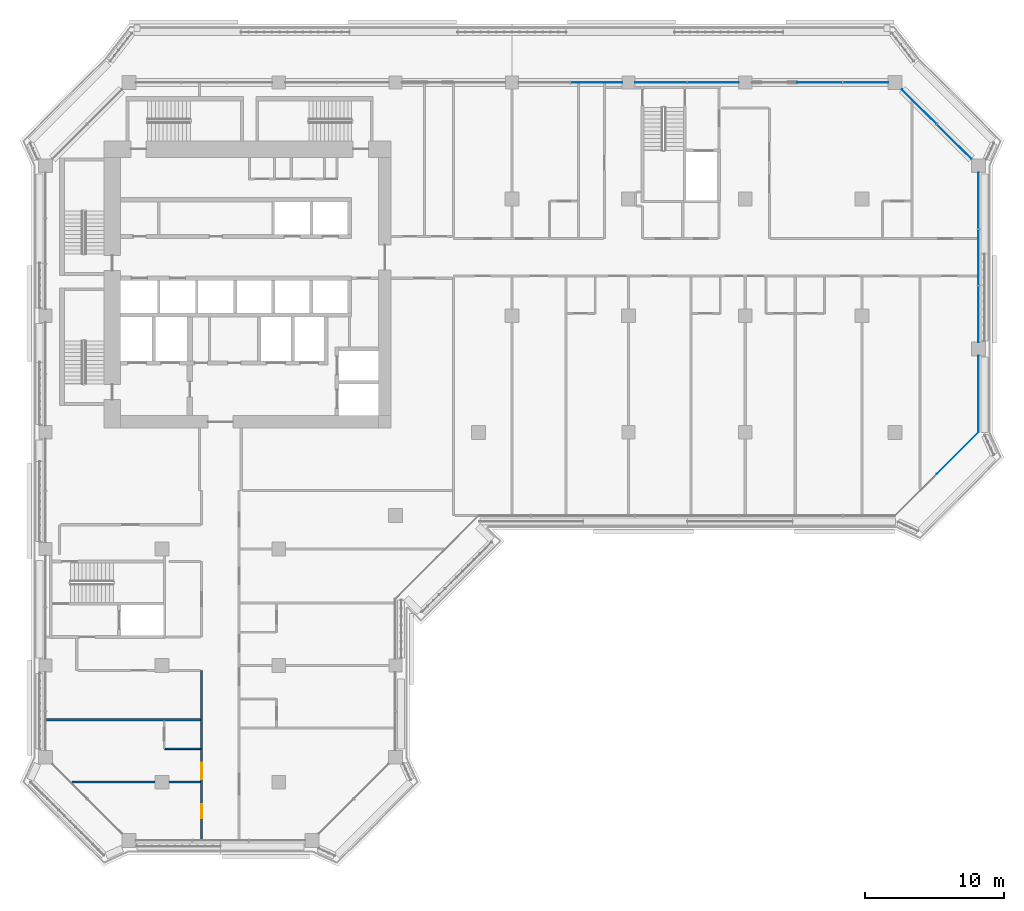
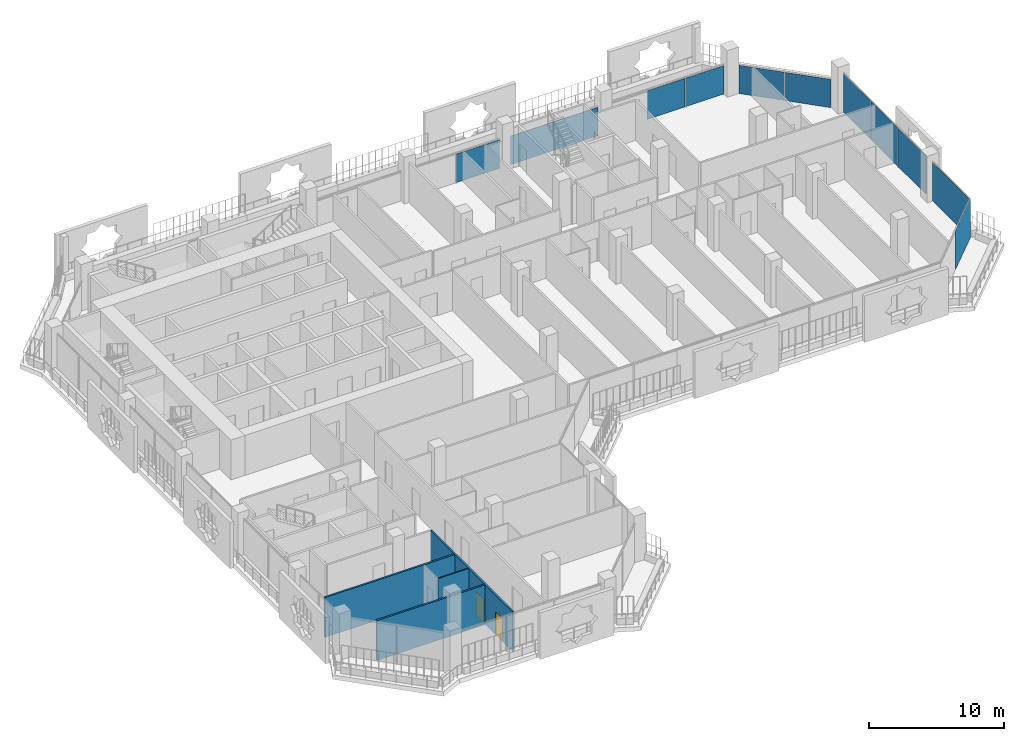
# One storey, part 9 of 21: 12 plates, 4 walls, 2 doors, 2 openings, 4 elements without a shape of their own.
"""IFC4 building model written with IfcOpenShell, lengths in metres."""

import ifcopenshell
import ifcopenshell.guid

model = None  # the IFC model being written
_history = None  # IfcOwnerHistory: only IFC2X3 demands one
_inside = {}  # id of a spatial element -> (the spatial element, [elements in it])
_under = {}  # id of a project, library or spatial element -> (it, [spatial elements below it])
_declared = {}  # id of a project -> (the project, [libraries it declares])
_typed = {}  # id of a type object -> (the type object, [elements of that type])
_made_of = {}  # id of a material, layer set ... -> (it, [elements and type objects made of it])


def new_model(schema):
    """Start an empty IFC model of exactly this schema.

    Asked for "IFC4X3", IfcOpenShell would pick the latest addendum, in which some entities
    have other attributes; the version numbers below select the first issue.
    IFC2X3 requires an IfcOwnerHistory on every rooted entity: one is made here for all.
    """
    global model, _history
    if schema == "IFC4X3":
        model = ifcopenshell.file(schema_version=(4, 3, 0, 0))
    else:
        model = ifcopenshell.file(schema=schema)
    _inside.clear()
    _under.clear()
    _declared.clear()
    _typed.clear()
    _made_of.clear()
    _history = None
    if model.schema == "IFC2X3":
        org = make("IfcOrganization", Name="unknown")
        user = make(
            "IfcPersonAndOrganization",
            ThePerson=make("IfcPerson", FamilyName="unknown"),
            TheOrganization=org,
        )
        app = make(
            "IfcApplication",
            ApplicationDeveloper=org,
            Version="unknown",
            ApplicationFullName="unknown",
            ApplicationIdentifier="unknown",
        )
        _history = make(
            "IfcOwnerHistory",
            OwningUser=user,
            OwningApplication=app,
            ChangeAction="ADDED",
            CreationDate=0,
        )
    return model


def make(cls, **values):
    """One entity of the class cls with the attributes given. An attribute that is None is left unset."""
    return model.create_entity(
        cls, **{name: value for name, value in values.items() if value is not None}
    )


def rooted(cls, **values):
    """An entity with a GlobalId (a new one), such as an element, a storey or a relation."""
    return make(cls, GlobalId=ifcopenshell.guid.new(), OwnerHistory=_history, **values)


def si_unit(unit_type, name, prefix=None):
    """IfcSIUnit, for example si_unit("LENGTHUNIT", "METRE", prefix="MILLI")."""
    return make("IfcSIUnit", UnitType=unit_type, Prefix=prefix, Name=name)


def assignment(units):
    """IfcUnitAssignment: the units of a project."""
    return None if units is None else make("IfcUnitAssignment", Units=units)


def point(xyz):
    """IfcCartesianPoint."""
    return None if xyz is None else make("IfcCartesianPoint", Coordinates=xyz)


def direction(xyz):
    """IfcDirection."""
    return None if xyz is None else make("IfcDirection", DirectionRatios=xyz)


def frame(location, z_axis=None, x_axis=None):
    """IfcAxis2Placement3D, a coordinate frame: its origin and axes. An axis left out is left unset."""
    return make(
        "IfcAxis2Placement3D",
        Location=point(location),
        Axis=direction(z_axis),
        RefDirection=direction(x_axis),
    )


def frame_2d(location, x_axis=None):
    """IfcAxis2Placement2D, a coordinate frame in the plane: its origin and x axis."""
    return make(
        "IfcAxis2Placement2D", Location=point(location), RefDirection=direction(x_axis)
    )


def origin():
    """The frame at (0, 0, 0) with its axes left unset."""
    return frame((0.0, 0.0, 0.0))


def origin_2d():
    """The frame at (0, 0) in the plane with its x axis left unset."""
    return frame_2d((0.0, 0.0))


def place(relative_to, where):
    """IfcLocalPlacement: puts the frame where relative to a parent placement (None: the world)."""
    return make(
        "IfcLocalPlacement", PlacementRelTo=relative_to, RelativePlacement=where
    )


def context(
    kind, dimensions, precision=None, world=None, true_north=None, identifier=None
):
    """IfcGeometricRepresentationContext, for example the 3D "Model" context."""
    return make(
        "IfcGeometricRepresentationContext",
        ContextIdentifier=identifier,
        ContextType=kind,
        CoordinateSpaceDimension=dimensions,
        Precision=precision,
        WorldCoordinateSystem=world,
        TrueNorth=true_north,
    )


def subcontext(parent, identifier, kind, view, scale=None):
    """IfcGeometricRepresentationSubContext, for example "Body" below "Model"."""
    return make(
        "IfcGeometricRepresentationSubContext",
        ContextIdentifier=identifier,
        ContextType=kind,
        ParentContext=parent,
        TargetScale=scale,
        TargetView=view,
    )


def project(units=None, contexts=None):
    """IfcProject with its units and contexts."""
    return rooted(
        "IfcProject",
        Name="project",
        RepresentationContexts=contexts,
        UnitsInContext=assignment(units),
    )


def spatial(cls, under=None, at=None, **own):
    """A site, building, storey or space (cls), placed at a placement, below another one or the project."""
    s = rooted(cls, ObjectPlacement=at, **own)
    if under is not None:
        _under.setdefault(under.id(), (under, []))[1].append(s)
    return s


def profile(cls, at=None, kind="AREA", **sizes):
    """A parametric profile (cls). Its sizes go by their IFC names, for example OverallWidth=200.0."""
    return make(cls, ProfileType=kind, Position=at, **sizes)


def rectangle(**sizes):
    """IfcRectangleProfileDef."""
    return profile("IfcRectangleProfileDef", **sizes)


def extrude(swept, where, along, depth):
    """IfcExtrudedAreaSolid: the profile swept, set in the frame where, extruded along a direction by depth."""
    return make(
        "IfcExtrudedAreaSolid",
        SweptArea=swept,
        Position=where,
        ExtrudedDirection=direction(along),
        Depth=depth,
    )


def shape(context_of_items, identifier, shape_type, items):
    """IfcShapeRepresentation: the items that make up one representation, for example the "Body"."""
    return make(
        "IfcShapeRepresentation",
        ContextOfItems=context_of_items,
        RepresentationIdentifier=identifier,
        RepresentationType=shape_type,
        Items=items,
    )


def material(Name=None, Category=None):
    """IfcMaterial."""
    return make("IfcMaterial", Name=Name, Category=Category)


def layer(
    of_material, thickness, ventilated=None, Name=None, Category=None, Priority=None
):
    """IfcMaterialLayer: one layer of a wall or slab, of a material (None: an air gap)."""
    return make(
        "IfcMaterialLayer",
        Material=of_material,
        LayerThickness=thickness,
        IsVentilated=ventilated,
        Name=Name,
        Category=Category,
        Priority=Priority,
    )


def layer_set(layers, Name=None):
    """IfcMaterialLayerSet."""
    return make("IfcMaterialLayerSet", MaterialLayers=layers, LayerSetName=Name)


def made_of(thing, what):
    """Note that an element or type object is made of a material, layer set ...; save() writes the relation."""
    if what is not None:
        _made_of.setdefault(what.id(), (what, []))[1].append(thing)
    return thing


def type_object(cls, material=None, **own):
    """A type object (cls), such as IfcWallType, which elements share."""
    return made_of(rooted(cls, **own), material)


def element(
    cls,
    number,
    at=None,
    inside=None,
    cuts=None,
    type_object=None,
    material=None,
    context=None,
    identifier="Body",
    shape_type=None,
    held_by="IfcProductDefinitionShape",
    body=None,
    shapes=None,
    **own,
):
    """One element of the class cls, such as IfcWall. Its Tag is "e" and its number.

    at: its placement. inside: the storey or other place that contains it. cuts: it is an
    opening in that element (IfcRelVoidsElement). A single representation is given by context,
    identifier, shape_type and body (its items); several are given by shapes. held_by: the class
    of the entity that holds the representations. save() writes the other relations.
    """
    e = rooted(cls, Tag="e%d" % number, ObjectPlacement=at, **own)
    if body is not None:
        shapes = [shape(context, identifier, shape_type, body)]
    if shapes is not None:
        e.Representation = make(held_by, Representations=shapes)
    if inside is not None:
        _inside.setdefault(inside.id(), (inside, []))[1].append(e)
    if cuts is not None:
        rooted(
            "IfcRelVoidsElement", RelatingBuildingElement=cuts, RelatedOpeningElement=e
        )
    if type_object is not None:
        _typed.setdefault(type_object.id(), (type_object, []))[1].append(e)
    return made_of(e, material)


def fill(opening, filler):
    """IfcRelFillsElement: the door or window that sits in an opening."""
    return rooted(
        "IfcRelFillsElement",
        RelatingOpeningElement=opening,
        RelatedBuildingElement=filler,
    )


def aggregate(whole, parts):
    """IfcRelAggregates: a whole, such as a stair, and the parts it consists of."""
    return rooted("IfcRelAggregates", RelatingObject=whole, RelatedObjects=parts)


def save(model, path):
    """Write the relations noted so far, then the file.

    IfcRelAggregates (storeys below a building ...), IfcRelContainedInSpatialStructure (elements
    in a storey), IfcRelDefinesByType, IfcRelAssociatesMaterial and IfcRelDeclares: one each for
    every whole, place, type object, material and project.
    """
    for whole, parts in _under.values():
        aggregate(whole, parts)
    for where, things in _inside.values():
        rooted(
            "IfcRelContainedInSpatialStructure",
            RelatedElements=things,
            RelatingStructure=where,
        )
    for kind, things in _typed.values():
        rooted("IfcRelDefinesByType", RelatedObjects=things, RelatingType=kind)
    for what, things in _made_of.values():
        rooted("IfcRelAssociatesMaterial", RelatedObjects=things, RelatingMaterial=what)
    for by, libraries in _declared.values():
        rooted("IfcRelDeclares", RelatingContext=by, RelatedDefinitions=libraries)
    model.write(path)


model = new_model("IFC4")

# Units and contexts
model_context = context("Model", 3, precision=1e-05, world=origin(), true_north=direction((0.0, 1.0)))
body_context = subcontext(model_context, "Body", "Model", "MODEL_VIEW")
ifc_project = project(units=[si_unit("LENGTHUNIT", "METRE"), si_unit("AREAUNIT", "SQUARE_METRE"), si_unit("VOLUMEUNIT", "CUBIC_METRE"), si_unit("PLANEANGLEUNIT", "RADIAN"), si_unit("MASSUNIT", "GRAM", prefix="KILO")], contexts=[model_context])

# Site, building, storey
site_placement = place(None, origin())
site = spatial("IfcSite", under=ifc_project, at=site_placement, CompositionType="ELEMENT")
building_placement = place(site_placement, origin())
building = spatial("IfcBuilding", under=site, at=building_placement, Name="Kawkab Arch Medical Tower", CompositionType="ELEMENT")
storey_placement = place(building_placement, frame((0.0, 0.0, 192.0)))
storey = spatial("IfcBuildingStorey", under=building, at=storey_placement, Name="L44", CompositionType="ELEMENT", Elevation=192.0)

# Curtain wall, plates
ifc_material_1 = material(Name="Bronze anodised aluminium curtain wall frame", Category="aluminium")
ifc_layer_1 = layer(ifc_material_1, 0.159912109375)
ifc_layer_set_1 = layer_set([ifc_layer_1], Name="Bronze anodised aluminium curtain wall frame")
curtain_wall_type_1 = type_object("IfcCurtainWallType", Name="CW1 ward curtain wall", PredefinedType="NOTDEFINED", material=ifc_layer_set_1)
placement = place(storey_placement, origin())
curtain_wall_1 = element("IfcCurtainWall", 1, at=placement, inside=storey, type_object=curtain_wall_type_1, Name="CW1 Ward curtain wall R09", PredefinedType="NOTDEFINED")
ifc_material_2 = material(Name="Tinted insulating glass, bronze low-e coating", Category="glass")
ifc_layer_2 = layer(ifc_material_2, 0.031982421875)
ifc_layer_set_2 = layer_set([ifc_layer_2], Name="Tinted insulating glass, bronze low-e coating")
plate_type_1 = type_object("IfcPlateType", Name="CW1 glazing unit 32", PredefinedType="CURTAIN_PANEL", material=ifc_layer_set_2)
plate_1_placement = place(storey_placement, frame((67.199951171875, -22.449951171875, 0.0), z_axis=(0.0, 0.0, 1.0), x_axis=(0.0, 1.0, 0.0)))
plate_1 = element("IfcPlate", 2, at=plate_1_placement, type_object=plate_type_1, Name="CW1 glazing unit 1.1", PredefinedType="CURTAIN_PANEL", context=body_context, shape_type="SweptSolid", body=[
    extrude(rectangle(XDim=5.5, YDim=0.031982421875, at=origin_2d()), origin(), (0.0, 0.0, 1.0), 3.47998046875),
])
plate_2_placement = place(storey_placement, frame((67.199951171875, -16.681640625, 0.0), z_axis=(0.0, 0.0, 1.0), x_axis=(0.0, 1.0, 0.0)))
plate_2 = element("IfcPlate", 3, at=plate_2_placement, type_object=plate_type_1, Name="CW1 glazing unit 2.1", PredefinedType="CURTAIN_PANEL", context=body_context, shape_type="SweptSolid", body=[
    extrude(rectangle(XDim=4.03662109375, YDim=0.031982421875, at=origin_2d()), origin(), (0.0, 0.0, 1.0), 3.47998046875),
])
plate_3_placement = place(storey_placement, frame((67.199951171875, -12.60009765625, 0.0), z_axis=(0.0, 0.0, 1.0), x_axis=(0.0, 1.0, 0.0)))
plate_3 = element("IfcPlate", 4, at=plate_3_placement, type_object=plate_type_1, Name="CW1 glazing unit 2.2", PredefinedType="CURTAIN_PANEL", context=body_context, shape_type="SweptSolid", body=[
    extrude(rectangle(XDim=4.006591796875, YDim=0.031982421875, at=origin_2d()), origin(), (0.0, 0.0, 1.0), 3.47998046875),
])
plate_4_placement = place(storey_placement, frame((67.199951171875, -8.518310546875, 0.0), z_axis=(0.0, 0.0, 1.0), x_axis=(0.0, 1.0, 0.0)))
plate_4 = element("IfcPlate", 5, at=plate_4_placement, type_object=plate_type_1, Name="CW1 glazing unit 2.3", PredefinedType="CURTAIN_PANEL", context=body_context, shape_type="SweptSolid", body=[
    extrude(rectangle(XDim=4.03662109375, YDim=0.031982421875, at=origin_2d()), origin(), (0.0, 0.0, 1.0), 3.47998046875),
])
aggregate(curtain_wall_1, [plate_1, plate_2, plate_3, plate_4])

curtain_wall_2 = element("IfcCurtainWall", 6, at=placement, inside=storey, type_object=curtain_wall_type_1, Name="CW1 Ward curtain wall R11", PredefinedType="NOTDEFINED")
plate_5_placement = place(storey_placement, frame((59.077392578125, 0.0, 0.0), z_axis=(0.0, 0.0, 1.0), x_axis=(-1.0, 0.0, 0.0)))
plate_5 = element("IfcPlate", 7, at=plate_5_placement, type_object=plate_type_1, Name="CW1 glazing unit 1.1", PredefinedType="CURTAIN_PANEL", context=body_context, shape_type="SweptSolid", body=[
    extrude(rectangle(XDim=3.2451171875, YDim=0.031982421875, at=origin_2d()), origin(), (0.0, 0.0, 1.0), 2.580078125),
])
plate_6_placement = place(storey_placement, frame((55.7724609375, 0.0, 0.0), z_axis=(0.0, 0.0, 1.0), x_axis=(-1.0, 0.0, 0.0)))
plate_6 = element("IfcPlate", 8, at=plate_6_placement, type_object=plate_type_1, Name="CW1 glazing unit 1.2", PredefinedType="CURTAIN_PANEL", context=body_context, shape_type="SweptSolid", body=[
    extrude(rectangle(XDim=3.2451171875, YDim=0.031982421875, at=origin_2d()), origin(), (0.0, 0.0, 1.0), 2.580078125),
])
plate_7_placement = place(storey_placement, frame((48.077392578125, 0.0, 0.0), z_axis=(0.0, 0.0, 1.0), x_axis=(-1.0, 0.0, 0.0)))
plate_7 = element("IfcPlate", 9, at=plate_7_placement, type_object=plate_type_1, Name="CW1 glazing unit 2.1", PredefinedType="CURTAIN_PANEL", context=body_context, shape_type="SweptSolid", body=[
    extrude(rectangle(XDim=3.695068359375, YDim=0.031982421875, at=origin_2d()), origin(), (0.0, 0.0, 1.0), 2.580078125),
])
plate_8_placement = place(storey_placement, frame((44.322509765625, 0.0, 0.0), z_axis=(0.0, 0.0, 1.0), x_axis=(-1.0, 0.0, 0.0)))
plate_8 = element("IfcPlate", 10, at=plate_8_placement, type_object=plate_type_1, Name="CW1 glazing unit 2.2", PredefinedType="CURTAIN_PANEL", context=body_context, shape_type="SweptSolid", body=[
    extrude(rectangle(XDim=3.695068359375, YDim=0.031982421875, at=origin_2d()), origin(), (0.0, 0.0, 1.0), 2.580078125),
])
plate_9_placement = place(storey_placement, frame((39.677490234375, 0.0, 0.0), z_axis=(0.0, 0.0, 1.0), x_axis=(-1.0, 0.0, 0.0)))
plate_9 = element("IfcPlate", 11, at=plate_9_placement, type_object=plate_type_1, Name="CW1 glazing unit 3.1", PredefinedType="CURTAIN_PANEL", context=body_context, shape_type="SweptSolid", body=[
    extrude(rectangle(XDim=3.695068359375, YDim=0.031982421875, at=origin_2d()), origin(), (0.0, 0.0, 1.0), 2.580078125),
])
aggregate(curtain_wall_2, [plate_5, plate_6, plate_7, plate_8, plate_9])

# Curtain wall, plate
ifc_material_3 = material(Name="Bronze anodised aluminium curtain wall frame", Category="aluminium")
ifc_layer_3 = layer(ifc_material_3, 0.159912109375)
ifc_layer_set_3 = layer_set([ifc_layer_3], Name="Bronze anodised aluminium curtain wall frame")
curtain_wall_type_2 = type_object("IfcCurtainWallType", Name="CW2 chamfer curtain wall", PredefinedType="NOTDEFINED", material=ifc_layer_set_3)
curtain_wall_3 = element("IfcCurtainWall", 12, at=placement, inside=storey, type_object=curtain_wall_type_2, Name="CW2 Chamfer curtain wall R08", PredefinedType="NOTDEFINED")
ifc_material_4 = material(Name="Tinted insulating glass, bronze low-e coating", Category="glass")
ifc_layer_4 = layer(ifc_material_4, 0.031982421875)
ifc_layer_set_4 = layer_set([ifc_layer_4], Name="Tinted insulating glass, bronze low-e coating")
plate_type_2 = type_object("IfcPlateType", Name="CW2 glazing unit 32", PredefinedType="CURTAIN_PANEL", material=ifc_layer_set_4)
plate_10_placement = place(storey_placement, frame((65.699951171875, -26.699951171875, 0.0), z_axis=(0.0, 0.0, 1.0), x_axis=(0.707106781187, 0.707106781187, 0.0)))
plate_10 = element("IfcPlate", 13, at=plate_10_placement, type_object=plate_type_2, Name="CW2 glazing unit 2.1", PredefinedType="CURTAIN_PANEL", context=body_context, shape_type="SweptSolid", body=[
    extrude(rectangle(XDim=4.24267578125, YDim=0.031982421875, at=origin_2d()), origin(), (0.0, 0.0, 1.0), 3.4599609375),
])
aggregate(curtain_wall_3, [plate_10])

# Curtain wall, plates
curtain_wall_4 = element("IfcCurtainWall", 14, at=placement, inside=storey, type_object=curtain_wall_type_2, Name="CW2 Chamfer curtain wall R10", PredefinedType="NOTDEFINED")
plate_11_placement = place(storey_placement, frame((65.460693359375, -4.260498046875, 0.0), z_axis=(0.0, 0.0, 1.0), x_axis=(-0.707106781187, 0.707106781187, 0.0)))
plate_11 = element("IfcPlate", 15, at=plate_11_placement, type_object=plate_type_2, Name="CW2 glazing unit 1.1", PredefinedType="CURTAIN_PANEL", context=body_context, shape_type="SweptSolid", body=[
    extrude(rectangle(XDim=3.505615234375, YDim=0.031982421875, at=origin_2d()), origin(), (0.0, 0.0, 1.0), 2.56005859375),
])
plate_12_placement = place(storey_placement, frame((62.939453125, -1.739501953125, 0.0), z_axis=(0.0, 0.0, 1.0), x_axis=(-0.707106781187, 0.707106781187, 0.0)))
plate_12 = element("IfcPlate", 16, at=plate_12_placement, type_object=plate_type_2, Name="CW2 glazing unit 1.2", PredefinedType="CURTAIN_PANEL", context=body_context, shape_type="SweptSolid", body=[
    extrude(rectangle(XDim=3.505615234375, YDim=0.031982421875, at=origin_2d()), origin(), (0.0, 0.0, 1.0), 2.56005859375),
])
aggregate(curtain_wall_4, [plate_11, plate_12])

# Walls
ifc_material_5 = material(Name="Gypsum board partition on steel studs", Category="steel")
ifc_layer_5 = layer(ifc_material_5, 0.10009765625)
ifc_layer_set_5 = layer_set([ifc_layer_5], Name="Gypsum board partition on steel studs")
wall_type_1 = type_object("IfcWallType", Name="Partition 100", PredefinedType="PARTITIONING", material=ifc_layer_set_5)
wall_1_placement = place(storey_placement, frame((8.60009765625, -48.0, 0.0), z_axis=(0.0, 0.0, 1.0), x_axis=(1.0, 0.0, 0.0)))
element("IfcWall", 17, at=wall_1_placement, inside=storey, type_object=wall_type_1, Name="Partition 100 w001", PredefinedType="PARTITIONING", context=body_context, shape_type="SweptSolid", body=[
    extrude(rectangle(XDim=2.574951171875, YDim=0.10009765625, at=frame_2d((1.28759765625, 0.0))), origin(), (0.0, 0.0, 1.0), 3.60009765625),
])
ifc_material_6 = material(Name="Gypsum board partition on steel studs, mineral wool", Category="steel")
ifc_layer_6 = layer(ifc_material_6, 0.14990234375)
ifc_layer_set_6 = layer_set([ifc_layer_6], Name="Gypsum board partition on steel studs, mineral wool")
wall_type_2 = type_object("IfcWallType", Name="Partition 150", PredefinedType="PARTITIONING", material=ifc_layer_set_6)
wall_2_placement = place(storey_placement, frame((1.9130859375, -50.39990234375, 0.0), z_axis=(0.0, 0.0, 1.0), x_axis=(1.0, 0.0, 0.0)))
element("IfcWall", 18, at=wall_2_placement, inside=storey, type_object=wall_type_2, Name="Partition 150 w018", PredefinedType="PARTITIONING", context=body_context, shape_type="SweptSolid", body=[
    extrude(rectangle(XDim=9.261962890625, YDim=0.14990234375, at=frame_2d((4.630859375, 0.0))), origin(), (0.0, 0.0, 1.0), 3.60009765625),
])
wall_3_placement = place(storey_placement, frame((0.080078125, -45.89990234375, 0.0), z_axis=(0.0, 0.0, 1.0), x_axis=(1.0, 0.0, 0.0)))
element("IfcWall", 19, at=wall_3_placement, inside=storey, type_object=wall_type_2, Name="Partition 150 w020", PredefinedType="PARTITIONING", context=body_context, shape_type="SweptSolid", body=[
    extrude(rectangle(XDim=11.094970703125, YDim=0.14990234375, at=frame_2d((5.54736328125, 0.0))), origin(), (0.0, 0.0, 1.0), 3.60009765625),
])

# Wall, openings, doors
wall_4_placement = place(storey_placement, frame((11.25, -54.52001953125, 0.0), z_axis=(0.0, 0.0, 1.0), x_axis=(0.0, 1.0, 0.0)))
wall_4 = element("IfcWall", 20, at=wall_4_placement, inside=storey, type_object=wall_type_2, Name="Partition 150 w046", PredefinedType="PARTITIONING", context=body_context, shape_type="SweptSolid", body=[
    extrude(rectangle(XDim=12.169921875, YDim=0.14990234375, at=frame_2d((6.0849609375, 0.0))), origin(), (0.0, 0.0, 1.0), 3.60009765625),
])
opening_1_placement = place(wall_4_placement, frame((4.320068359375, 0.0, 0.0)))
opening_1 = element("IfcOpeningElement", 21, at=opening_1_placement, cuts=wall_4, Name="Opening W39-035", PredefinedType="OPENING", context=body_context, shape_type="SweptSolid", body=[
    extrude(rectangle(XDim=1.199951171875, YDim=2.10009765625, at=frame_2d((0.60009765625, 1.050048828125))), frame((0.0, 0.0849609375, 0.0), z_axis=(0.0, -1.0, 0.0), x_axis=(1.0, 0.0, 0.0)), (0.0, 0.0, 1.0), 0.169921875),
])
opening_2_placement = place(wall_4_placement, frame((1.52001953125, 0.0, 0.0)))
opening_2 = element("IfcOpeningElement", 22, at=opening_2_placement, cuts=wall_4, Name="Opening W39-024", PredefinedType="OPENING", context=body_context, shape_type="SweptSolid", body=[
    extrude(rectangle(XDim=1.0, YDim=2.10009765625, at=frame_2d((0.5, 1.050048828125))), frame((0.0, 0.0849609375, 0.0), z_axis=(0.0, -1.0, 0.0), x_axis=(1.0, 0.0, 0.0)), (0.0, 0.0, 1.0), 0.169921875),
])
ifc_material_7 = material(Name="Hollow metal door leaf")
door_type_1 = type_object("IfcDoorType", Name="Single door 1000x2100 FD30S", OperationType="NOTDEFINED", PredefinedType="DOOR", material=ifc_material_7)
door_1_placement = place(opening_2_placement, origin())
door_1 = element("IfcDoor", 23, at=door_1_placement, inside=storey, type_object=door_type_1, Name="Door W39-024", OperationType="SINGLE_SWING_LEFT", OverallHeight=2.10009765625, OverallWidth=1.0, PredefinedType="DOOR", context=body_context, shape_type="SweptSolid", body=[
    extrude(rectangle(XDim=1.0, YDim=2.10009765625, at=frame_2d((0.5, 1.050048828125))), frame((0.0, 0.02490234375, 0.0), z_axis=(0.0, -1.0, 0.0), x_axis=(1.0, 0.0, 0.0)), (0.0, 0.0, 1.0), 0.050048828125),
])
fill(opening_2, door_1)
ifc_material_8 = material(Name="Hollow metal door leaf")
door_type_2 = type_object("IfcDoorType", Name="Single door 1200x2100 FD30S", OperationType="NOTDEFINED", PredefinedType="DOOR", material=ifc_material_8)
door_2_placement = place(opening_1_placement, origin())
door_2 = element("IfcDoor", 24, at=door_2_placement, inside=storey, type_object=door_type_2, Name="Door W39-035", OperationType="SINGLE_SWING_LEFT", OverallHeight=2.10009765625, OverallWidth=1.199951171875, PredefinedType="DOOR", context=body_context, shape_type="SweptSolid", body=[
    extrude(rectangle(XDim=1.199951171875, YDim=2.10009765625, at=frame_2d((0.60009765625, 1.050048828125))), frame((0.0, 0.02490234375, 0.0), z_axis=(0.0, -1.0, 0.0), x_axis=(1.0, 0.0, 0.0)), (0.0, 0.0, 1.0), 0.050048828125),
])
fill(opening_1, door_2)

save(model, "model.ifc")
